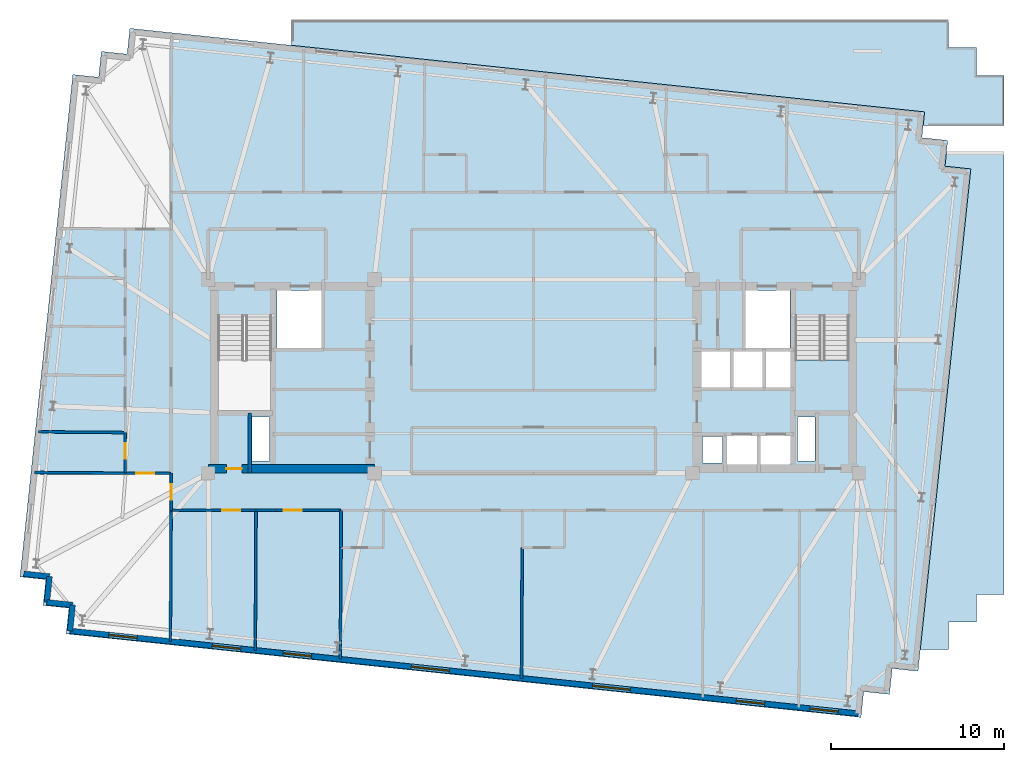
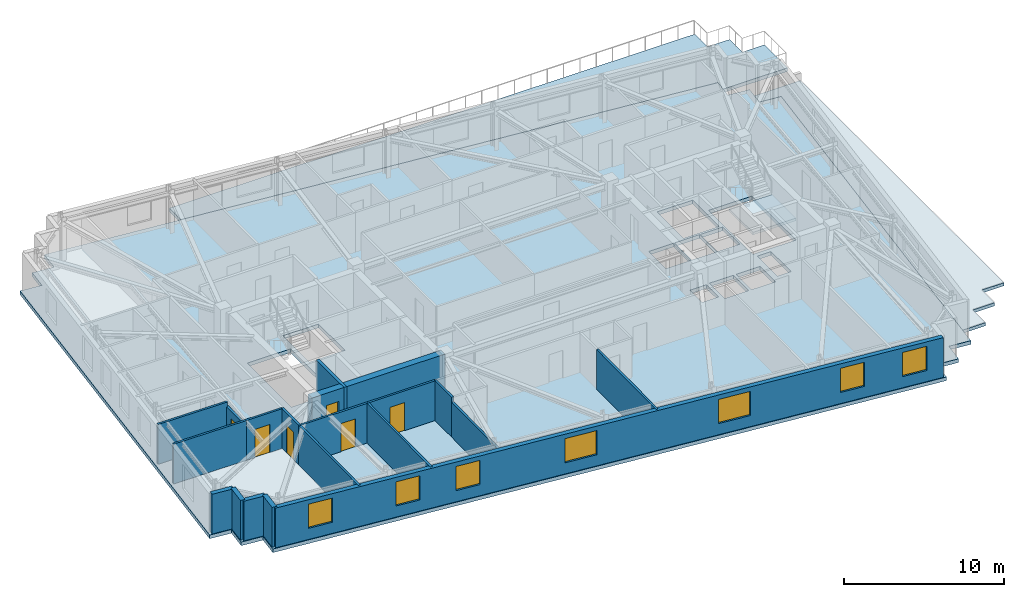
# One storey, part 5 of 13: 19 walls, 7 windows, 6 doors, 4 slabs, 13 openings, 1 element without a shape of its own.
"""IFC4 building model written with IfcOpenShell, lengths in metres."""

import ifcopenshell
import ifcopenshell.guid

model = None  # the IFC model being written
_history = None  # IfcOwnerHistory: only IFC2X3 demands one
_inside = {}  # id of a spatial element -> (the spatial element, [elements in it])
_under = {}  # id of a project, library or spatial element -> (it, [spatial elements below it])
_declared = {}  # id of a project -> (the project, [libraries it declares])
_typed = {}  # id of a type object -> (the type object, [elements of that type])
_made_of = {}  # id of a material, layer set ... -> (it, [elements and type objects made of it])


def new_model(schema):
    """Start an empty IFC model of exactly this schema.

    Asked for "IFC4X3", IfcOpenShell would pick the latest addendum, in which some entities
    have other attributes; the version numbers below select the first issue.
    IFC2X3 requires an IfcOwnerHistory on every rooted entity: one is made here for all.
    """
    global model, _history
    if schema == "IFC4X3":
        model = ifcopenshell.file(schema_version=(4, 3, 0, 0))
    else:
        model = ifcopenshell.file(schema=schema)
    _inside.clear()
    _under.clear()
    _declared.clear()
    _typed.clear()
    _made_of.clear()
    _history = None
    if model.schema == "IFC2X3":
        org = make("IfcOrganization", Name="unknown")
        user = make(
            "IfcPersonAndOrganization",
            ThePerson=make("IfcPerson", FamilyName="unknown"),
            TheOrganization=org,
        )
        app = make(
            "IfcApplication",
            ApplicationDeveloper=org,
            Version="unknown",
            ApplicationFullName="unknown",
            ApplicationIdentifier="unknown",
        )
        _history = make(
            "IfcOwnerHistory",
            OwningUser=user,
            OwningApplication=app,
            ChangeAction="ADDED",
            CreationDate=0,
        )
    return model


def make(cls, **values):
    """One entity of the class cls with the attributes given. An attribute that is None is left unset."""
    return model.create_entity(
        cls, **{name: value for name, value in values.items() if value is not None}
    )


def rooted(cls, **values):
    """An entity with a GlobalId (a new one), such as an element, a storey or a relation."""
    return make(cls, GlobalId=ifcopenshell.guid.new(), OwnerHistory=_history, **values)


def si_unit(unit_type, name, prefix=None):
    """IfcSIUnit, for example si_unit("LENGTHUNIT", "METRE", prefix="MILLI")."""
    return make("IfcSIUnit", UnitType=unit_type, Prefix=prefix, Name=name)


def assignment(units):
    """IfcUnitAssignment: the units of a project."""
    return None if units is None else make("IfcUnitAssignment", Units=units)


def point(xyz):
    """IfcCartesianPoint."""
    return None if xyz is None else make("IfcCartesianPoint", Coordinates=xyz)


def direction(xyz):
    """IfcDirection."""
    return None if xyz is None else make("IfcDirection", DirectionRatios=xyz)


def frame(location, z_axis=None, x_axis=None):
    """IfcAxis2Placement3D, a coordinate frame: its origin and axes. An axis left out is left unset."""
    return make(
        "IfcAxis2Placement3D",
        Location=point(location),
        Axis=direction(z_axis),
        RefDirection=direction(x_axis),
    )


def frame_2d(location, x_axis=None):
    """IfcAxis2Placement2D, a coordinate frame in the plane: its origin and x axis."""
    return make(
        "IfcAxis2Placement2D", Location=point(location), RefDirection=direction(x_axis)
    )


def origin():
    """The frame at (0, 0, 0) with its axes left unset."""
    return frame((0.0, 0.0, 0.0))


def place(relative_to, where):
    """IfcLocalPlacement: puts the frame where relative to a parent placement (None: the world)."""
    return make(
        "IfcLocalPlacement", PlacementRelTo=relative_to, RelativePlacement=where
    )


def context(
    kind, dimensions, precision=None, world=None, true_north=None, identifier=None
):
    """IfcGeometricRepresentationContext, for example the 3D "Model" context."""
    return make(
        "IfcGeometricRepresentationContext",
        ContextIdentifier=identifier,
        ContextType=kind,
        CoordinateSpaceDimension=dimensions,
        Precision=precision,
        WorldCoordinateSystem=world,
        TrueNorth=true_north,
    )


def subcontext(parent, identifier, kind, view, scale=None):
    """IfcGeometricRepresentationSubContext, for example "Body" below "Model"."""
    return make(
        "IfcGeometricRepresentationSubContext",
        ContextIdentifier=identifier,
        ContextType=kind,
        ParentContext=parent,
        TargetScale=scale,
        TargetView=view,
    )


def project(units=None, contexts=None):
    """IfcProject with its units and contexts."""
    return rooted(
        "IfcProject",
        Name="project",
        RepresentationContexts=contexts,
        UnitsInContext=assignment(units),
    )


def spatial(cls, under=None, at=None, **own):
    """A site, building, storey or space (cls), placed at a placement, below another one or the project."""
    s = rooted(cls, ObjectPlacement=at, **own)
    if under is not None:
        _under.setdefault(under.id(), (under, []))[1].append(s)
    return s


def polyline(points):
    """IfcPolyline through the points."""
    return make("IfcPolyline", Points=[point(p) for p in points])


def profile(cls, at=None, kind="AREA", **sizes):
    """A parametric profile (cls). Its sizes go by their IFC names, for example OverallWidth=200.0."""
    return make(cls, ProfileType=kind, Position=at, **sizes)


def rectangle(**sizes):
    """IfcRectangleProfileDef."""
    return profile("IfcRectangleProfileDef", **sizes)


def outline(outer, holes=None, kind="AREA"):
    """IfcArbitraryClosedProfileDef: a profile drawn as a closed curve; with holes, ...WithVoids."""
    if holes is None:
        return make("IfcArbitraryClosedProfileDef", ProfileType=kind, OuterCurve=outer)
    return make(
        "IfcArbitraryProfileDefWithVoids",
        ProfileType=kind,
        OuterCurve=outer,
        InnerCurves=holes,
    )


def extrude(swept, where, along, depth):
    """IfcExtrudedAreaSolid: the profile swept, set in the frame where, extruded along a direction by depth."""
    return make(
        "IfcExtrudedAreaSolid",
        SweptArea=swept,
        Position=where,
        ExtrudedDirection=direction(along),
        Depth=depth,
    )


def shape(context_of_items, identifier, shape_type, items):
    """IfcShapeRepresentation: the items that make up one representation, for example the "Body"."""
    return make(
        "IfcShapeRepresentation",
        ContextOfItems=context_of_items,
        RepresentationIdentifier=identifier,
        RepresentationType=shape_type,
        Items=items,
    )


def material(Name=None, Category=None):
    """IfcMaterial."""
    return make("IfcMaterial", Name=Name, Category=Category)


def layer(
    of_material, thickness, ventilated=None, Name=None, Category=None, Priority=None
):
    """IfcMaterialLayer: one layer of a wall or slab, of a material (None: an air gap)."""
    return make(
        "IfcMaterialLayer",
        Material=of_material,
        LayerThickness=thickness,
        IsVentilated=ventilated,
        Name=Name,
        Category=Category,
        Priority=Priority,
    )


def layer_set(layers, Name=None):
    """IfcMaterialLayerSet."""
    return make("IfcMaterialLayerSet", MaterialLayers=layers, LayerSetName=Name)


def made_of(thing, what):
    """Note that an element or type object is made of a material, layer set ...; save() writes the relation."""
    if what is not None:
        _made_of.setdefault(what.id(), (what, []))[1].append(thing)
    return thing


def type_object(cls, material=None, **own):
    """A type object (cls), such as IfcWallType, which elements share."""
    return made_of(rooted(cls, **own), material)


def element(
    cls,
    number,
    at=None,
    inside=None,
    cuts=None,
    type_object=None,
    material=None,
    context=None,
    identifier="Body",
    shape_type=None,
    held_by="IfcProductDefinitionShape",
    body=None,
    shapes=None,
    **own,
):
    """One element of the class cls, such as IfcWall. Its Tag is "e" and its number.

    at: its placement. inside: the storey or other place that contains it. cuts: it is an
    opening in that element (IfcRelVoidsElement). A single representation is given by context,
    identifier, shape_type and body (its items); several are given by shapes. held_by: the class
    of the entity that holds the representations. save() writes the other relations.
    """
    e = rooted(cls, Tag="e%d" % number, ObjectPlacement=at, **own)
    if body is not None:
        shapes = [shape(context, identifier, shape_type, body)]
    if shapes is not None:
        e.Representation = make(held_by, Representations=shapes)
    if inside is not None:
        _inside.setdefault(inside.id(), (inside, []))[1].append(e)
    if cuts is not None:
        rooted(
            "IfcRelVoidsElement", RelatingBuildingElement=cuts, RelatedOpeningElement=e
        )
    if type_object is not None:
        _typed.setdefault(type_object.id(), (type_object, []))[1].append(e)
    return made_of(e, material)


def fill(opening, filler):
    """IfcRelFillsElement: the door or window that sits in an opening."""
    return rooted(
        "IfcRelFillsElement",
        RelatingOpeningElement=opening,
        RelatedBuildingElement=filler,
    )


def aggregate(whole, parts):
    """IfcRelAggregates: a whole, such as a stair, and the parts it consists of."""
    return rooted("IfcRelAggregates", RelatingObject=whole, RelatedObjects=parts)


def save(model, path):
    """Write the relations noted so far, then the file.

    IfcRelAggregates (storeys below a building ...), IfcRelContainedInSpatialStructure (elements
    in a storey), IfcRelDefinesByType, IfcRelAssociatesMaterial and IfcRelDeclares: one each for
    every whole, place, type object, material and project.
    """
    for whole, parts in _under.values():
        aggregate(whole, parts)
    for where, things in _inside.values():
        rooted(
            "IfcRelContainedInSpatialStructure",
            RelatedElements=things,
            RelatingStructure=where,
        )
    for kind, things in _typed.values():
        rooted("IfcRelDefinesByType", RelatedObjects=things, RelatingType=kind)
    for what, things in _made_of.values():
        rooted("IfcRelAssociatesMaterial", RelatedObjects=things, RelatingMaterial=what)
    for by, libraries in _declared.values():
        rooted("IfcRelDeclares", RelatingContext=by, RelatedDefinitions=libraries)
    model.write(path)


model = new_model("IFC4")

# Units and contexts
model_context = context("Model", 3, precision=1e-05, world=origin(), true_north=direction((0.0, 1.0)))
body_context = subcontext(model_context, "Body", "Model", "MODEL_VIEW")
ifc_project = project(units=[si_unit("LENGTHUNIT", "METRE"), si_unit("AREAUNIT", "SQUARE_METRE"), si_unit("VOLUMEUNIT", "CUBIC_METRE"), si_unit("PLANEANGLEUNIT", "RADIAN"), si_unit("MASSUNIT", "GRAM", prefix="KILO")], contexts=[model_context])

# Site, building, storey
site_placement = place(None, origin())
site = spatial("IfcSite", under=ifc_project, at=site_placement, CompositionType="ELEMENT")
building_placement = place(site_placement, origin())
building = spatial("IfcBuilding", under=site, at=building_placement, Name="Qobustan Lattice House", CompositionType="ELEMENT")
storey_placement = place(building_placement, frame((0.0, 0.0, 179.64990234375)))
storey = spatial("IfcBuildingStorey", under=building, at=storey_placement, Name="L50", CompositionType="ELEMENT", Elevation=179.64990234375)

# Slab
ifc_material_1 = material(Name="Concrete C45/55", Category="concrete")
ifc_layer_1 = layer(ifc_material_1, 0.280029296875)
ifc_layer_set_1 = layer_set([ifc_layer_1], Name="Concrete C45/55")
slab_type_1 = type_object("IfcSlabType", Name="SLB-FLR-280", PredefinedType="FLOOR", material=ifc_layer_set_1)
slab_1_placement = place(storey_placement, frame((0.0, 0.0, -0.27978515625)))
element("IfcSlab", 1, at=slab_1_placement, inside=storey, type_object=slab_type_1, Name="L50 structural floor slab", PredefinedType="FLOOR", context=body_context, shape_type="SweptSolid", body=[
    extrude(outline(polyline([(-27.01318359375, -14.888916015625), (18.933837890625, -19.71826171875), (19.090576171875, -18.226318359375), (20.582275390625, -18.38330078125), (20.739013671875, -16.891357421875), (22.23095703125, -17.048095703125), (25.283203125, 11.99169921875), (23.79150390625, 12.148681640625), (23.947998046875, 13.640380859375), (22.456298828125, 13.797119140625), (22.61328125, 15.2890625), (-23.333740234375, 20.1181640625), (-23.490478515625, 18.62646484375), (-24.982421875, 18.783203125), (-25.13916015625, 17.29150390625), (-26.630859375, 17.4482421875), (-29.68310546875, -11.591796875), (-28.19140625, -11.74853515625), (-28.34814453125, -13.240478515625), (-26.8564453125, -13.397216796875), (-27.01318359375, -14.888916015625)]), holes=[polyline([(-18.25, -2.050048828125), (-18.25, 3.489990234375), (-15.1298828125, 3.489990234375), (-15.1298828125, -2.050048828125), (-18.25, -2.050048828125)]), polyline([(15.1298828125, -2.050048828125), (15.1298828125, 3.489990234375), (18.25, 3.489990234375), (18.25, -2.050048828125), (15.1298828125, -2.050048828125)]), polyline([(-14.820068359375, 1.64990234375), (-14.820068359375, 4.9599609375), (-12.25, 4.9599609375), (-12.25, 1.64990234375), (-14.820068359375, 1.64990234375)]), polyline([(12.25, 1.64990234375), (12.25, 4.9599609375), (14.820068359375, 4.9599609375), (14.820068359375, 1.64990234375), (12.25, 1.64990234375)]), polyline([(-16.260009765625, -4.8798828125), (-16.260009765625, -2.360107421875), (-15.260009765625, -2.360107421875), (-15.260009765625, -4.8798828125), (-16.260009765625, -4.8798828125)]), polyline([(15.260009765625, -4.8798828125), (15.260009765625, -2.360107421875), (16.260009765625, -2.360107421875), (16.260009765625, -4.8798828125), (15.260009765625, -4.8798828125)]), polyline([(11.179931640625, -5.35009765625), (11.179931640625, -3.419921875), (12.919921875, -3.419921875), (12.919921875, -5.35009765625), (11.179931640625, -5.35009765625)]), polyline([(13.1201171875, -5.35009765625), (13.1201171875, -3.419921875), (14.85009765625, -3.419921875), (14.85009765625, -5.35009765625), (13.1201171875, -5.35009765625)]), polyline([(9.760009765625, -5.0), (9.760009765625, -3.47998046875), (10.93994140625, -3.47998046875), (10.93994140625, -5.0), (9.760009765625, -5.0)]), polyline([(13.360107421875, -0.679931640625), (13.360107421875, 1.47998046875), (14.97998046875, 1.47998046875), (14.97998046875, -0.679931640625), (13.360107421875, -0.679931640625)]), polyline([(9.6201171875, -0.679931640625), (9.6201171875, 1.47998046875), (11.43994140625, 1.47998046875), (11.43994140625, -0.679931640625), (9.6201171875, -0.679931640625)]), polyline([(11.5, -0.679931640625), (11.5, 1.47998046875), (13.320068359375, 1.47998046875), (13.320068359375, -0.679931640625), (11.5, -0.679931640625)])]), origin(), (0.0, 0.0, 1.0), 0.27978515625),
])

# Stair, slab
ifc_material_2 = material(Name="Concrete C40/50", Category="concrete")
stair_type = type_object("IfcStairType", Name="STR-CORE-DOGLEG", PredefinedType="HALF_TURN_STAIR", material=ifc_material_2)
stair_placement = place(storey_placement, origin())
stair = element("IfcStair", 2, at=stair_placement, inside=storey, type_object=stair_type, Name="L50 East protected exit stair ST-E1", PredefinedType="HALF_TURN_STAIR")
ifc_material_3 = material(Name="Concrete C40/50", Category="concrete")
ifc_layer_2 = layer(ifc_material_3, 0.199951171875)
ifc_layer_set_2 = layer_set([ifc_layer_2], Name="Concrete C40/50")
slab_type_2 = type_object("IfcSlabType", Name="SLB-LANDING-200", PredefinedType="LANDING", material=ifc_layer_set_2)
slab_2_placement = place(storey_placement, frame((0.0, 0.0, 1.47509765625)))
slab_2 = element("IfcSlab", 3, at=slab_2_placement, type_object=slab_type_2, Name="ST-E1 landing 1", PredefinedType="LANDING", context=body_context, shape_type="SweptSolid", body=[
    extrude(outline(polyline([(15.1298828125, 0.93505859375), (15.1298828125, -2.050048828125), (18.25, -2.050048828125), (18.25, 0.93505859375), (15.1298828125, 0.93505859375)])), origin(), (0.0, 0.0, 1.0), 0.199951171875),
])
aggregate(stair, [slab_2])

# Slabs
ifc_material_4 = material(Name="Concrete C40/50", Category="concrete")
ifc_layer_3 = layer(ifc_material_4, 0.239990234375)
ifc_layer_set_3 = layer_set([ifc_layer_3], Name="Concrete C40/50")
slab_type_3 = type_object("IfcSlabType", Name="SLB-ROOF-240", PredefinedType="ROOF", material=ifc_layer_set_3)
slab_3_placement = place(storey_placement, frame((0.0, 0.0, -0.239990234375)))
element("IfcSlab", 4, at=slab_3_placement, inside=storey, type_object=slab_type_3, Name="L50 setback maintenance roof slab 1", PredefinedType="ROOF", context=body_context, shape_type="SweptSolid", body=[
    extrude(outline(polyline([(27.199951171875, 12.89990234375), (23.870361328125, 12.89990234375), (23.79150390625, 12.148681640625), (25.283203125, 11.99169921875), (22.362060546875, -15.800048828125), (24.0, -15.800048828125), (24.0, -14.199951171875), (25.60009765625, -14.199951171875), (25.60009765625, -12.60009765625), (27.199951171875, -12.60009765625), (27.199951171875, 12.89990234375)])), origin(), (0.0, 0.0, 1.0), 0.239990234375),
])
ifc_material_5 = material(Name="Concrete C40/50", Category="concrete")
ifc_layer_4 = layer(ifc_material_5, 0.27001953125)
ifc_layer_set_4 = layer_set([ifc_layer_4], Name="Concrete C40/50")
slab_type_4 = type_object("IfcSlabType", Name="SLB-TER-270", PredefinedType="FLOOR", material=ifc_layer_set_4)
slab_4_placement = place(storey_placement, frame((0.0, 0.0, -0.27001953125)))
element("IfcSlab", 5, at=slab_4_placement, inside=storey, type_object=slab_type_4, Name="L50 NE planted spiral terrace slab", PredefinedType="FLOOR", context=body_context, shape_type="SweptSolid", body=[
    extrude(outline(polyline([(-14.0, 20.60009765625), (-14.0, 19.13720703125), (22.61328125, 15.2890625), (22.5302734375, 14.5), (27.199951171875, 14.5), (27.199951171875, 17.39990234375), (25.60009765625, 17.39990234375), (25.60009765625, 19.0), (24.0, 19.0), (24.0, 20.60009765625), (-14.0, 20.60009765625)])), origin(), (0.0, 0.0, 1.0), 0.27001953125),
])

# Wall, opening, door
ifc_material_6 = material(Name="Concrete C50/60", Category="concrete")
ifc_layer_5 = layer(ifc_material_6, 0.5)
ifc_layer_set_5 = layer_set([ifc_layer_5], Name="Concrete C50/60")
wall_type_1 = type_object("IfcWallType", Name="WAL-CORE-500", PredefinedType="SHEAR", material=ifc_layer_set_5)
wall_1_placement = place(storey_placement, frame((-18.800048828125, -5.35009765625, 0.0), z_axis=(0.0, 0.0, 1.0), x_axis=(1.0, 0.0, 0.0)))
wall_1 = element("IfcWall", 6, at=wall_1_placement, inside=storey, type_object=wall_type_1, Name="L50 split-core shear wall CW-S", PredefinedType="SHEAR", context=body_context, shape_type="SweptSolid", body=[
    extrude(rectangle(XDim=9.60009765625, YDim=0.5, at=frame_2d((4.800048828125, 0.0))), origin(), (0.0, 0.0, 1.0), 3.0400390625),
])
opening_1_placement = place(wall_1_placement, frame((1.050048828125, 0.0, 0.0)))
opening_1 = element("IfcOpeningElement", 7, at=opening_1_placement, cuts=wall_1, Name="Opening RD-01", PredefinedType="OPENING", context=body_context, shape_type="SweptSolid", body=[
    extrude(rectangle(XDim=0.89990234375, YDim=2.10009765625, at=frame_2d((0.449951171875, 1.050048828125))), frame((0.0, 0.260009765625, 0.0), z_axis=(0.0, -1.0, 0.0), x_axis=(1.0, 0.0, 0.0)), (0.0, 0.0, 1.0), 0.52001953125),
])
ifc_material_7 = material(Name="Persian walnut timber and steel frame door", Category="steel")
door_type_1 = type_object("IfcDoorType", Name="DOR-RISER-FD-900x2100", OperationType="NOTDEFINED", PredefinedType="DOOR", material=ifc_material_7)
door_1_placement = place(opening_1_placement, origin())
door_1 = element("IfcDoor", 8, at=door_1_placement, inside=storey, type_object=door_type_1, Name="L50 core service riser access door W", OperationType="SINGLE_SWING_LEFT", OverallHeight=2.10009765625, OverallWidth=0.89990234375, PredefinedType="DOOR", context=body_context, shape_type="SweptSolid", body=[
    extrude(rectangle(XDim=0.89990234375, YDim=2.10009765625, at=frame_2d((0.449951171875, 1.050048828125))), frame((0.0, 0.02490234375, 0.0), z_axis=(0.0, -1.0, 0.0), x_axis=(1.0, 0.0, 0.0)), (0.0, 0.0, 1.0), 0.050048828125),
])
fill(opening_1, door_1)

# Walls
ifc_material_8 = material(Name="Precast concrete C40/50", Category="concrete")
ifc_layer_6 = layer(ifc_material_8, 0.320068359375)
ifc_layer_set_6 = layer_set([ifc_layer_6], Name="Precast concrete C40/50")
wall_type_2 = type_object("IfcWallType", Name="WAL-EXT-STONE-320", PredefinedType="SOLIDWALL", material=ifc_layer_set_6)
for number, where, z_axis, x_axis, name in (
    (9, (-26.79345703125, -14.7109375, 0.0), (0.0, 0.0, 1.0), (0.104498377516, 0.994525057048, 0.0), "L50 exterior limestone-clad wall 1"),
    (10, (-26.63671875, -13.21923828125, 0.0), (0.0, 0.0, 1.0), (-0.994525057048, 0.104498377516, 0.0), "L50 exterior limestone-clad wall 2"),
):
    element("IfcWall", number, at=place(storey_placement, frame(where, z_axis=z_axis, x_axis=x_axis)), inside=storey, type_object=wall_type_2, Name=name, PredefinedType="SOLIDWALL", context=body_context, shape_type="SweptSolid", body=[
        extrude(rectangle(XDim=1.5, YDim=0.320068359375, at=frame_2d((0.75, 0.0))), origin(), (0.0, 0.0, 1.0), 3.0400390625),
    ])
wall_2_placement = place(storey_placement, frame((-28.12841796875, -13.0625, 0.0), z_axis=(0.0, 0.0, 1.0), x_axis=(0.104481464157, 0.994526834051, 0.0)))
element("IfcWall", 11, at=wall_2_placement, inside=storey, type_object=wall_type_2, Name="L50 exterior limestone-clad wall 3", PredefinedType="SOLIDWALL", context=body_context, shape_type="SweptSolid", body=[
    extrude(rectangle(XDim=1.500244140625, YDim=0.320068359375, at=frame_2d((0.75, 0.0))), origin(), (0.0, 0.0, 1.0), 3.0400390625),
])
wall_3_placement = place(storey_placement, frame((-27.9716796875, -11.570556640625, 0.0), z_axis=(0.0, 0.0, 1.0), x_axis=(-0.994525057048, 0.104498377516, 0.0)))
element("IfcWall", 12, at=wall_3_placement, inside=storey, type_object=wall_type_2, Name="L50 exterior limestone-clad wall 4", PredefinedType="SOLIDWALL", context=body_context, shape_type="SweptSolid", body=[
    extrude(rectangle(XDim=1.5, YDim=0.320068359375, at=frame_2d((0.75, 0.0))), origin(), (0.0, 0.0, 1.0), 3.0400390625),
])

# Wall, openings, windows
wall_4_placement = place(storey_placement, frame((18.755859375, -19.498291015625, 0.0), z_axis=(0.0, 0.0, 1.0), x_axis=(-0.994522060044, 0.104526896475, 0.0)))
wall_4 = element("IfcWall", 13, at=wall_4_placement, inside=storey, type_object=wall_type_2, Name="L50 exterior limestone-clad wall 20", PredefinedType="SOLIDWALL", context=body_context, shape_type="SweptSolid", body=[
    extrude(rectangle(XDim=45.80029296875, YDim=0.320068359375, at=frame_2d((22.900146484375, 0.0))), origin(), (0.0, 0.0, 1.0), 3.0400390625),
])
opening_2_placement = place(wall_4_placement, frame((1.13671875, 0.0, 0.85009765625)))
opening_2 = element("IfcOpeningElement", 14, at=opening_2_placement, cuts=wall_4, Name="Opening WN-09", PredefinedType="OPENING", context=body_context, shape_type="SweptSolid", body=[
    extrude(rectangle(XDim=1.64990234375, YDim=1.85009765625, at=frame_2d((0.824951171875, 0.925048828125))), frame((0.0, 0.169921875, 0.0), z_axis=(0.0, -1.0, 0.0), x_axis=(1.0, 0.0, 0.0)), (0.0, 0.0, 1.0), 0.340087890625),
])
opening_3_placement = place(wall_4_placement, frame((5.42041015625, 0.0, 0.85009765625)))
opening_3 = element("IfcOpeningElement", 15, at=opening_3_placement, cuts=wall_4, Name="Opening WN-09", PredefinedType="OPENING", context=body_context, shape_type="SweptSolid", body=[
    extrude(rectangle(XDim=1.64990234375, YDim=1.85009765625, at=frame_2d((0.824951171875, 0.925048828125))), frame((0.0, 0.169921875, 0.0), z_axis=(0.0, -1.0, 0.0), x_axis=(1.0, 0.0, 0.0)), (0.0, 0.0, 1.0), 0.340087890625),
])
opening_4_placement = place(wall_4_placement, frame((13.232421875, 0.0, 0.85009765625)))
opening_4 = element("IfcOpeningElement", 16, at=opening_4_placement, cuts=wall_4, Name="Opening WN-03", PredefinedType="OPENING", context=body_context, shape_type="SweptSolid", body=[
    extrude(rectangle(XDim=2.199951171875, YDim=1.85009765625, at=frame_2d((1.10009765625, 0.925048828125))), frame((0.0, 0.169921875, 0.0), z_axis=(0.0, -1.0, 0.0), x_axis=(1.0, 0.0, 0.0)), (0.0, 0.0, 1.0), 0.340087890625),
])
opening_5_placement = place(wall_4_placement, frame((23.76171875, 0.0, 0.85009765625)))
opening_5 = element("IfcOpeningElement", 17, at=opening_5_placement, cuts=wall_4, Name="Opening WN-03", PredefinedType="OPENING", context=body_context, shape_type="SweptSolid", body=[
    extrude(rectangle(XDim=2.199951171875, YDim=1.85009765625, at=frame_2d((1.10009765625, 0.925048828125))), frame((0.0, 0.169921875, 0.0), z_axis=(0.0, -1.0, 0.0), x_axis=(1.0, 0.0, 0.0)), (0.0, 0.0, 1.0), 0.340087890625),
])
opening_6_placement = place(wall_4_placement, frame((31.763427734375, 0.0, 0.85009765625)))
opening_6 = element("IfcOpeningElement", 18, at=opening_6_placement, cuts=wall_4, Name="Opening WN-09", PredefinedType="OPENING", context=body_context, shape_type="SweptSolid", body=[
    extrude(rectangle(XDim=1.64990234375, YDim=1.85009765625, at=frame_2d((0.824951171875, 0.925048828125))), frame((0.0, 0.169921875, 0.0), z_axis=(0.0, -1.0, 0.0), x_axis=(1.0, 0.0, 0.0)), (0.0, 0.0, 1.0), 0.340087890625),
])
opening_7_placement = place(wall_4_placement, frame((35.8828125, 0.0, 0.85009765625)))
opening_7 = element("IfcOpeningElement", 19, at=opening_7_placement, cuts=wall_4, Name="Opening WN-09", PredefinedType="OPENING", context=body_context, shape_type="SweptSolid", body=[
    extrude(rectangle(XDim=1.64990234375, YDim=1.85009765625, at=frame_2d((0.824951171875, 0.925048828125))), frame((0.0, 0.169921875, 0.0), z_axis=(0.0, -1.0, 0.0), x_axis=(1.0, 0.0, 0.0)), (0.0, 0.0, 1.0), 0.340087890625),
])
opening_8_placement = place(wall_4_placement, frame((41.892333984375, 0.0, 0.85009765625)))
opening_8 = element("IfcOpeningElement", 20, at=opening_8_placement, cuts=wall_4, Name="Opening WN-09", PredefinedType="OPENING", context=body_context, shape_type="SweptSolid", body=[
    extrude(rectangle(XDim=1.64990234375, YDim=1.85009765625, at=frame_2d((0.824951171875, 0.925048828125))), frame((0.0, 0.169921875, 0.0), z_axis=(0.0, -1.0, 0.0), x_axis=(1.0, 0.0, 0.0)), (0.0, 0.0, 1.0), 0.340087890625),
])
ifc_material_9 = material(Name="Double-glazed low-E aluminium window", Category="aluminium")
window_type_1 = type_object("IfcWindowType", Name="WIN-STU-1650x1850", PartitioningType="SINGLE_PANEL", PredefinedType="WINDOW", material=ifc_material_9)
window_1_placement = place(opening_2_placement, origin())
window_1 = element("IfcWindow", 21, at=window_1_placement, inside=storey, type_object=window_type_1, Name="L50 Academic seminar room window", OverallHeight=1.85009765625, OverallWidth=1.64990234375, PartitioningType="SINGLE_PANEL", PredefinedType="WINDOW", context=body_context, shape_type="SweptSolid", body=[
    extrude(rectangle(XDim=1.64990234375, YDim=1.85009765625, at=frame_2d((0.824951171875, 0.925048828125))), frame((0.0, 0.030029296875, 0.0), z_axis=(0.0, -1.0, 0.0), x_axis=(1.0, 0.0, 0.0)), (0.0, 0.0, 1.0), 0.06005859375),
])
fill(opening_2, window_1)
window_2_placement = place(opening_3_placement, origin())
window_2 = element("IfcWindow", 22, at=window_2_placement, inside=storey, type_object=window_type_1, Name="L50 Group study room window", OverallHeight=1.85009765625, OverallWidth=1.64990234375, PartitioningType="SINGLE_PANEL", PredefinedType="WINDOW", context=body_context, shape_type="SweptSolid", body=[
    extrude(rectangle(XDim=1.64990234375, YDim=1.85009765625, at=frame_2d((0.824951171875, 0.925048828125))), frame((0.0, 0.030029296875, 0.0), z_axis=(0.0, -1.0, 0.0), x_axis=(1.0, 0.0, 0.0)), (0.0, 0.0, 1.0), 0.06005859375),
])
fill(opening_3, window_2)
window_3_placement = place(opening_6_placement, origin())
window_3 = element("IfcWindow", 23, at=window_3_placement, inside=storey, type_object=window_type_1, Name="L50 Focus study room S1B window", OverallHeight=1.85009765625, OverallWidth=1.64990234375, PartitioningType="SINGLE_PANEL", PredefinedType="WINDOW", context=body_context, shape_type="SweptSolid", body=[
    extrude(rectangle(XDim=1.64990234375, YDim=1.85009765625, at=frame_2d((0.824951171875, 0.925048828125))), frame((0.0, 0.030029296875, 0.0), z_axis=(0.0, -1.0, 0.0), x_axis=(1.0, 0.0, 0.0)), (0.0, 0.0, 1.0), 0.06005859375),
])
fill(opening_6, window_3)
window_4_placement = place(opening_7_placement, origin())
window_4 = element("IfcWindow", 24, at=window_4_placement, inside=storey, type_object=window_type_1, Name="L50 Focus study room S1A window", OverallHeight=1.85009765625, OverallWidth=1.64990234375, PartitioningType="SINGLE_PANEL", PredefinedType="WINDOW", context=body_context, shape_type="SweptSolid", body=[
    extrude(rectangle(XDim=1.64990234375, YDim=1.85009765625, at=frame_2d((0.824951171875, 0.925048828125))), frame((0.0, 0.030029296875, 0.0), z_axis=(0.0, -1.0, 0.0), x_axis=(1.0, 0.0, 0.0)), (0.0, 0.0, 1.0), 0.06005859375),
])
fill(opening_7, window_4)
window_5_placement = place(opening_8_placement, origin())
window_5 = element("IfcWindow", 25, at=window_5_placement, inside=storey, type_object=window_type_1, Name="L50 Reading study room L50WS window", OverallHeight=1.85009765625, OverallWidth=1.64990234375, PartitioningType="SINGLE_PANEL", PredefinedType="WINDOW", context=body_context, shape_type="SweptSolid", body=[
    extrude(rectangle(XDim=1.64990234375, YDim=1.85009765625, at=frame_2d((0.824951171875, 0.925048828125))), frame((0.0, 0.030029296875, 0.0), z_axis=(0.0, -1.0, 0.0), x_axis=(1.0, 0.0, 0.0)), (0.0, 0.0, 1.0), 0.06005859375),
])
fill(opening_8, window_5)
ifc_material_10 = material(Name="Double-glazed low-E aluminium window", Category="aluminium")
window_type_2 = type_object("IfcWindowType", Name="WIN-WIDE-2200x1850", PartitioningType="SINGLE_PANEL", PredefinedType="WINDOW", material=ifc_material_10)
window_6_placement = place(opening_4_placement, origin())
window_6 = element("IfcWindow", 26, at=window_6_placement, inside=storey, type_object=window_type_2, Name="L50 Kitchenette and studio apartment L50-S3 window", OverallHeight=1.85009765625, OverallWidth=2.199951171875, PartitioningType="SINGLE_PANEL", PredefinedType="WINDOW", context=body_context, shape_type="SweptSolid", body=[
    extrude(rectangle(XDim=2.199951171875, YDim=1.85009765625, at=frame_2d((1.10009765625, 0.925048828125))), frame((0.0, 0.030029296875, 0.0), z_axis=(0.0, -1.0, 0.0), x_axis=(1.0, 0.0, 0.0)), (0.0, 0.0, 1.0), 0.06005859375),
])
fill(opening_4, window_6)
window_7_placement = place(opening_5_placement, origin())
window_7 = element("IfcWindow", 27, at=window_7_placement, inside=storey, type_object=window_type_2, Name="L50 Kitchenette and studio apartment L50-S2 window", OverallHeight=1.85009765625, OverallWidth=2.199951171875, PartitioningType="SINGLE_PANEL", PredefinedType="WINDOW", context=body_context, shape_type="SweptSolid", body=[
    extrude(rectangle(XDim=2.199951171875, YDim=1.85009765625, at=frame_2d((1.10009765625, 0.925048828125))), frame((0.0, 0.030029296875, 0.0), z_axis=(0.0, -1.0, 0.0), x_axis=(1.0, 0.0, 0.0)), (0.0, 0.0, 1.0), 0.06005859375),
])
fill(opening_5, window_7)

# Wall, opening, door
ifc_material_11 = material(Name="Acoustic twin-stud gypsum partition", Category="gypsum")
ifc_layer_7 = layer(ifc_material_11, 0.14990234375)
ifc_layer_set_7 = layer_set([ifc_layer_7], Name="Acoustic twin-stud gypsum partition")
wall_type_3 = type_object("IfcWallType", Name="WAL-PART-150", PredefinedType="PARTITIONING", material=ifc_layer_set_7)
wall_5_placement = place(storey_placement, frame((-20.949951171875, -7.75, 0.0), z_axis=(0.0, 0.0, 1.0), x_axis=(0.0, 1.0, 0.0)))
wall_5 = element("IfcWall", 28, at=wall_5_placement, inside=storey, type_object=wall_type_3, Name="L50 interior partition 44", PredefinedType="PARTITIONING", context=body_context, shape_type="SweptSolid", body=[
    extrude(rectangle(XDim=2.14990234375, YDim=0.14990234375, at=frame_2d((1.074951171875, 0.0))), origin(), (0.0, 0.0, 1.0), 3.0400390625),
])
opening_9_placement = place(wall_5_placement, frame((0.625, 0.0, 0.0)))
opening_9 = element("IfcOpeningElement", 29, at=opening_9_placement, cuts=wall_5, Name="Opening WD-01", PredefinedType="OPENING", context=body_context, shape_type="SweptSolid", body=[
    extrude(rectangle(XDim=0.89990234375, YDim=2.10009765625, at=frame_2d((0.449951171875, 1.050048828125))), frame((0.0, 0.0849609375, 0.0), z_axis=(0.0, -1.0, 0.0), x_axis=(1.0, 0.0, 0.0)), (0.0, 0.0, 1.0), 0.169921875),
])
ifc_material_12 = material(Name="Persian walnut timber and steel frame door", Category="steel")
door_type_2 = type_object("IfcDoorType", Name="DOR-WET-900x2100", OperationType="NOTDEFINED", PredefinedType="DOOR", material=ifc_material_12)
door_2_placement = place(opening_9_placement, origin())
door_2 = element("IfcDoor", 30, at=door_2_placement, inside=storey, type_object=door_type_2, Name="L50 South-west floor corridor to Reading study room L50WS door", OperationType="SINGLE_SWING_LEFT", OverallHeight=2.10009765625, OverallWidth=0.89990234375, PredefinedType="DOOR", context=body_context, shape_type="SweptSolid", body=[
    extrude(rectangle(XDim=0.89990234375, YDim=2.10009765625, at=frame_2d((0.449951171875, 1.050048828125))), frame((0.0, 0.02490234375, 0.0), z_axis=(0.0, -1.0, 0.0), x_axis=(1.0, 0.0, 0.0)), (0.0, 0.0, 1.0), 0.050048828125),
])
fill(opening_9, door_2)

wall_6_placement = place(storey_placement, frame((-16.03759765625, -7.75, 0.0), z_axis=(0.0, 0.0, 1.0), x_axis=(-1.0, 0.0, 0.0)))
wall_6 = element("IfcWall", 31, at=wall_6_placement, inside=storey, type_object=wall_type_3, Name="L50 interior partition 45", PredefinedType="PARTITIONING", context=body_context, shape_type="SweptSolid", body=[
    extrude(rectangle(XDim=4.912353515625, YDim=0.14990234375, at=frame_2d((2.4560546875, 0.0))), origin(), (0.0, 0.0, 1.0), 3.0400390625),
])
opening_10_placement = place(wall_6_placement, frame((0.917724609375, 0.0, 0.0)))
opening_10 = element("IfcOpeningElement", 32, at=opening_10_placement, cuts=wall_6, Name="Opening ID-02", PredefinedType="OPENING", context=body_context, shape_type="SweptSolid", body=[
    extrude(rectangle(XDim=1.050048828125, YDim=2.14990234375, at=frame_2d((0.52490234375, 1.074951171875))), frame((0.0, 0.0849609375, 0.0), z_axis=(0.0, -1.0, 0.0), x_axis=(1.0, 0.0, 0.0)), (0.0, 0.0, 1.0), 0.169921875),
])
ifc_material_13 = material(Name="Persian walnut timber and steel frame door", Category="steel")
door_type_3 = type_object("IfcDoorType", Name="DOR-STUDY-1050x2150", OperationType="NOTDEFINED", PredefinedType="DOOR", material=ifc_material_13)
door_3_placement = place(opening_10_placement, origin())
door_3 = element("IfcDoor", 33, at=door_3_placement, inside=storey, type_object=door_type_3, Name="L50 South-west floor corridor to Focus study room S1A door", OperationType="SINGLE_SWING_RIGHT", OverallHeight=2.14990234375, OverallWidth=1.050048828125, PredefinedType="DOOR", context=body_context, shape_type="SweptSolid", body=[
    extrude(rectangle(XDim=1.050048828125, YDim=2.14990234375, at=frame_2d((0.52490234375, 1.074951171875))), frame((0.0, 0.02490234375, 0.0), z_axis=(0.0, -1.0, 0.0), x_axis=(1.0, 0.0, 0.0)), (0.0, 0.0, 1.0), 0.050048828125),
])
fill(opening_10, door_3)

wall_7_placement = place(storey_placement, frame((-11.125, -7.75, 0.0), z_axis=(0.0, 0.0, 1.0), x_axis=(-1.0, 0.0, 0.0)))
wall_7 = element("IfcWall", 34, at=wall_7_placement, inside=storey, type_object=wall_type_3, Name="L50 interior partition 46", PredefinedType="PARTITIONING", context=body_context, shape_type="SweptSolid", body=[
    extrude(rectangle(XDim=4.91259765625, YDim=0.14990234375, at=frame_2d((2.456298828125, 0.0))), origin(), (0.0, 0.0, 1.0), 3.0400390625),
])
opening_11_placement = place(wall_7_placement, frame((2.26904296875, 0.0, 0.0)))
opening_11 = element("IfcOpeningElement", 35, at=opening_11_placement, cuts=wall_7, Name="Opening ID-02", PredefinedType="OPENING", context=body_context, shape_type="SweptSolid", body=[
    extrude(rectangle(XDim=1.050048828125, YDim=2.14990234375, at=frame_2d((0.52490234375, 1.074951171875))), frame((0.0, 0.0849609375, 0.0), z_axis=(0.0, -1.0, 0.0), x_axis=(1.0, 0.0, 0.0)), (0.0, 0.0, 1.0), 0.169921875),
])
door_4_placement = place(opening_11_placement, origin())
door_4 = element("IfcDoor", 36, at=door_4_placement, inside=storey, type_object=door_type_3, Name="L50 South-west floor corridor to Focus study room S1B door", OperationType="SINGLE_SWING_LEFT", OverallHeight=2.14990234375, OverallWidth=1.050048828125, PredefinedType="DOOR", context=body_context, shape_type="SweptSolid", body=[
    extrude(rectangle(XDim=1.050048828125, YDim=2.14990234375, at=frame_2d((0.52490234375, 1.074951171875))), frame((0.0, 0.02490234375, 0.0), z_axis=(0.0, -1.0, 0.0), x_axis=(1.0, 0.0, 0.0)), (0.0, 0.0, 1.0), 0.050048828125),
])
fill(opening_11, door_4)

wall_8_placement = place(storey_placement, frame((-20.949951171875, -5.60009765625, 0.0), z_axis=(0.0, 0.0, 1.0), x_axis=(-1.0, 0.0, 0.0)))
wall_8 = element("IfcWall", 37, at=wall_8_placement, inside=storey, type_object=wall_type_3, Name="L50 interior partition 68", PredefinedType="PARTITIONING", context=body_context, shape_type="SweptSolid", body=[
    extrude(rectangle(XDim=2.650146484375, YDim=0.14990234375, at=frame_2d((1.3251953125, 0.0))), origin(), (0.0, 0.0, 1.0), 3.0400390625),
])
opening_12_placement = place(wall_8_placement, frame((0.965087890625, 0.0, 0.0)))
opening_12 = element("IfcOpeningElement", 38, at=opening_12_placement, cuts=wall_8, Name="Opening ID-02", PredefinedType="OPENING", context=body_context, shape_type="SweptSolid", body=[
    extrude(rectangle(XDim=1.050048828125, YDim=2.14990234375, at=frame_2d((0.52490234375, 1.074951171875))), frame((0.0, 0.0849609375, 0.0), z_axis=(0.0, -1.0, 0.0), x_axis=(1.0, 0.0, 0.0)), (0.0, 0.0, 1.0), 0.169921875),
])
door_5_placement = place(opening_12_placement, origin())
door_5 = element("IfcDoor", 39, at=door_5_placement, inside=storey, type_object=door_type_3, Name="L50 Residence entrance hall L50W to Reading study room L50WS door", OperationType="SINGLE_SWING_LEFT", OverallHeight=2.14990234375, OverallWidth=1.050048828125, PredefinedType="DOOR", context=body_context, shape_type="SweptSolid", body=[
    extrude(rectangle(XDim=1.050048828125, YDim=2.14990234375, at=frame_2d((0.52490234375, 1.074951171875))), frame((0.0, 0.02490234375, 0.0), z_axis=(0.0, -1.0, 0.0), x_axis=(1.0, 0.0, 0.0)), (0.0, 0.0, 1.0), 0.050048828125),
])
fill(opening_12, door_5)

# Walls
wall_9_placement = place(storey_placement, frame((-20.949951171875, -7.75, 0.0), z_axis=(0.0, 0.0, 1.0), x_axis=(-0.005804668564, -0.99998315277, 0.0)))
element("IfcWall", 40, at=wall_9_placement, inside=storey, type_object=wall_type_3, Name="L50 interior partition 77", PredefinedType="PARTITIONING", context=body_context, shape_type="SweptSolid", body=[
    extrude(rectangle(XDim=7.57080078125, YDim=0.14990234375, at=frame_2d((3.785400390625, 0.0))), origin(), (0.0, 0.0, 1.0), 3.0400390625),
])
wall_10_placement = place(storey_placement, frame((-16.03759765625, -7.75, 0.0), z_axis=(0.0, 0.0, 1.0), x_axis=(-0.00540385782, -0.999985399054, 0.0)))
element("IfcWall", 41, at=wall_10_placement, inside=storey, type_object=wall_type_3, Name="L50 interior partition 96", PredefinedType="PARTITIONING", context=body_context, shape_type="SweptSolid", body=[
    extrude(rectangle(XDim=8.0869140625, YDim=0.14990234375, at=frame_2d((4.04345703125, 0.0))), origin(), (0.0, 0.0, 1.0), 3.0400390625),
])
wall_11_placement = place(storey_placement, frame((-11.125, -9.89990234375, 0.0), z_axis=(0.0, 0.0, 1.0), x_axis=(-0.006809511849, -0.999976815005, 0.0)))
element("IfcWall", 42, at=wall_11_placement, inside=storey, type_object=wall_type_3, Name="L50 interior partition 97", PredefinedType="PARTITIONING", context=body_context, shape_type="SweptSolid", body=[
    extrude(rectangle(XDim=6.45361328125, YDim=0.14990234375, at=frame_2d((3.226806640625, 0.0))), origin(), (0.0, 0.0, 1.0), 2.6650390625),
])
wall_12_placement = place(storey_placement, frame((-0.64990234375, -9.89990234375, 0.0), z_axis=(0.0, 0.0, 1.0), x_axis=(-0.005817237229, -0.999983079732, 0.0)))
element("IfcWall", 43, at=wall_12_placement, inside=storey, type_object=wall_type_3, Name="L50 interior partition 101", PredefinedType="PARTITIONING", context=body_context, shape_type="SweptSolid", body=[
    extrude(rectangle(XDim=7.554443359375, YDim=0.14990234375, at=frame_2d((3.77734375, 0.0))), origin(), (0.0, 0.0, 1.0), 3.0400390625),
])
ifc_material_14 = material(Name="Concrete C40/50", Category="concrete")
ifc_layer_8 = layer(ifc_material_14, 0.199951171875)
ifc_layer_set_8 = layer_set([ifc_layer_8], Name="Concrete C40/50")
wall_type_4 = type_object("IfcWallType", Name="WAL-SHAFT-200", PredefinedType="PARTITIONING", material=ifc_layer_set_8)
wall_13_placement = place(storey_placement, frame((-16.39990234375, -5.60009765625, 0.0), z_axis=(0.0, 0.0, 1.0), x_axis=(0.0, 1.0, 0.0)))
element("IfcWall", 44, at=wall_13_placement, inside=storey, type_object=wall_type_4, Name="L50 interior partition 1", PredefinedType="PARTITIONING", context=body_context, shape_type="SweptSolid", body=[
    extrude(rectangle(XDim=3.489990234375, YDim=0.199951171875, at=frame_2d((1.7451171875, 0.0))), origin(), (0.0, 0.0, 1.0), 3.0400390625),
])

# Wall, opening, door
ifc_material_15 = material(Name="Moisture-resistant acoustic plumbing wall", Category="gypsum")
ifc_layer_9 = layer(ifc_material_15, 0.14990234375)
ifc_layer_set_9 = layer_set([ifc_layer_9], Name="Moisture-resistant acoustic plumbing wall")
wall_type_5 = type_object("IfcWallType", Name="WAL-WET-150", PredefinedType="PLUMBINGWALL", material=ifc_layer_set_9)
wall_14_placement = place(storey_placement, frame((-23.60009765625, -5.60009765625, 0.0), z_axis=(0.0, 0.0, 1.0), x_axis=(0.0, 1.0, 0.0)))
wall_14 = element("IfcWall", 45, at=wall_14_placement, inside=storey, type_object=wall_type_5, Name="L50 interior partition 69", PredefinedType="PLUMBINGWALL", context=body_context, shape_type="SweptSolid", body=[
    extrude(rectangle(XDim=2.35009765625, YDim=0.14990234375, at=frame_2d((1.175048828125, 0.0))), origin(), (0.0, 0.0, 1.0), 2.695068359375),
])
opening_13_placement = place(wall_14_placement, frame((0.833740234375, 0.0, 0.0)))
opening_13 = element("IfcOpeningElement", 46, at=opening_13_placement, cuts=wall_14, Name="Opening WD-01", PredefinedType="OPENING", context=body_context, shape_type="SweptSolid", body=[
    extrude(rectangle(XDim=0.89990234375, YDim=2.10009765625, at=frame_2d((0.449951171875, 1.050048828125))), frame((0.0, 0.0849609375, 0.0), z_axis=(0.0, -1.0, 0.0), x_axis=(1.0, 0.0, 0.0)), (0.0, 0.0, 1.0), 0.169921875),
])
door_6_placement = place(opening_13_placement, origin())
door_6 = element("IfcDoor", 47, at=door_6_placement, inside=storey, type_object=door_type_2, Name="L50 Residence entrance hall L50W to Shared bathroom L50W door", OperationType="SINGLE_SWING_RIGHT", OverallHeight=2.10009765625, OverallWidth=0.89990234375, PredefinedType="DOOR", context=body_context, shape_type="SweptSolid", body=[
    extrude(rectangle(XDim=0.89990234375, YDim=2.10009765625, at=frame_2d((0.449951171875, 1.050048828125))), frame((0.0, 0.02490234375, 0.0), z_axis=(0.0, -1.0, 0.0), x_axis=(1.0, 0.0, 0.0)), (0.0, 0.0, 1.0), 0.050048828125),
])
fill(opening_13, door_6)

# Walls
wall_15_placement = place(storey_placement, frame((-28.84765625, -5.55615234375, 0.0), z_axis=(0.0, 0.0, 1.0), x_axis=(0.999964936305, -0.008374136435, 0.0)))
element("IfcWall", 48, at=wall_15_placement, inside=storey, type_object=wall_type_5, Name="L50 interior partition 76", PredefinedType="PLUMBINGWALL", context=body_context, shape_type="SweptSolid", body=[
    extrude(rectangle(XDim=5.247802734375, YDim=0.14990234375, at=frame_2d((2.6240234375, 0.0))), origin(), (0.0, 0.0, 1.0), 3.0400390625),
])
wall_16_placement = place(storey_placement, frame((-28.6005859375, -3.2060546875, 0.0), z_axis=(0.0, 0.0, 1.0), x_axis=(0.999961385969, -0.008787864929, 0.0)))
element("IfcWall", 49, at=wall_16_placement, inside=storey, type_object=wall_type_5, Name="L50 interior partition 78", PredefinedType="PLUMBINGWALL", context=body_context, shape_type="SweptSolid", body=[
    extrude(rectangle(XDim=5.000732421875, YDim=0.14990234375, at=frame_2d((2.50048828125, 0.0))), origin(), (0.0, 0.0, 1.0), 3.0400390625),
])
wall_17_placement = place(storey_placement, frame((-11.125, -7.75, 0.0), z_axis=(0.0, 0.0, 1.0), x_axis=(0.0, -1.0, 0.0)))
element("IfcWall", 50, at=wall_17_placement, inside=storey, type_object=wall_type_5, Name="L50 interior partition 98", PredefinedType="PLUMBINGWALL", context=body_context, shape_type="SweptSolid", body=[
    extrude(rectangle(XDim=2.14990234375, YDim=0.14990234375, at=frame_2d((1.074951171875, 0.0))), origin(), (0.0, 0.0, 1.0), 3.0400390625),
])

save(model, "model.ifc")
